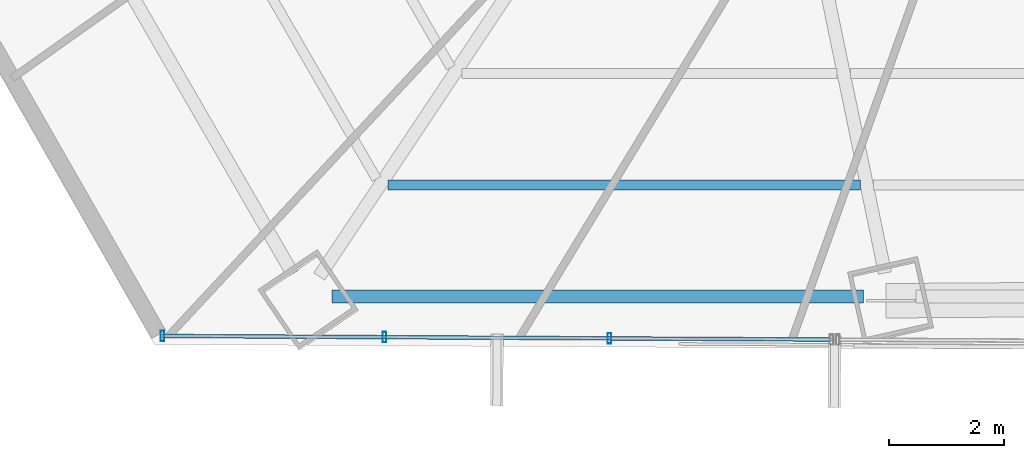
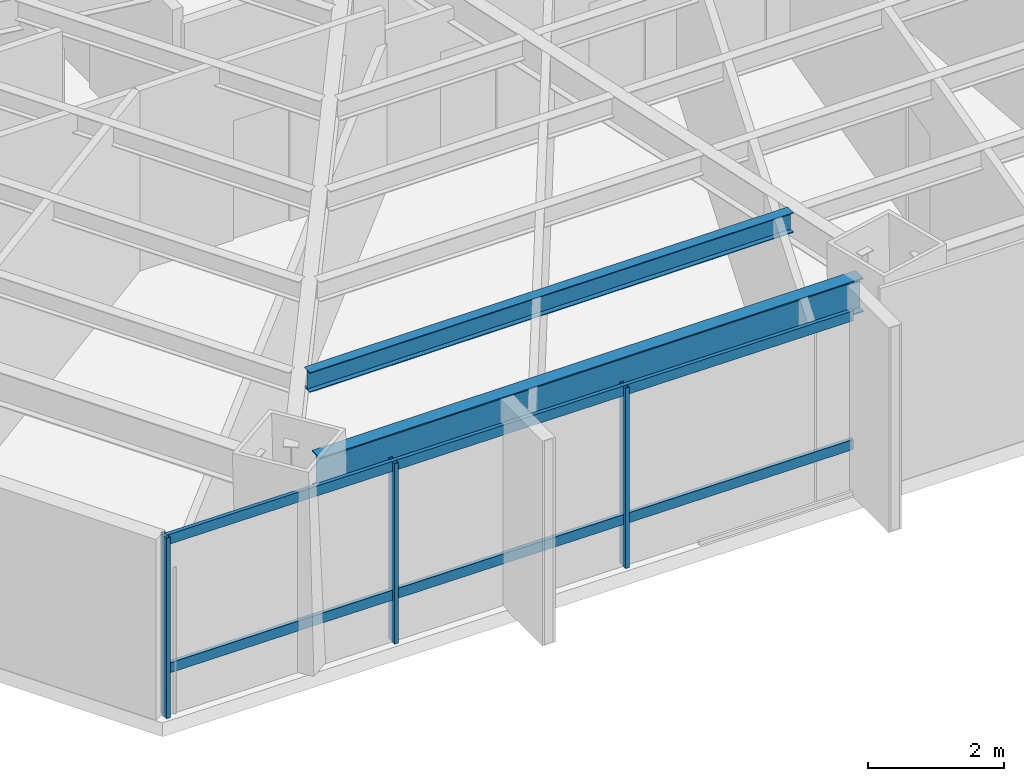
# One storey, part 4 of 39: 5 members, 2 beams, 1 element without a shape of its own.
"""IFC4 building model written with IfcOpenShell, lengths in metres."""

from ifc_helpers import new_model, si_unit, direction, frame, origin, origin_2d, place, context, subcontext, project, spatial, hollow_rectangle, i_section, extrude, source, transform, mapped, material, material_profile, profile_set, type_object, type_shapes, element, aggregate, save


model = new_model("IFC4")

# Units and contexts
model_context = context("Model", 3, precision=1e-05, world=origin(), true_north=direction((0.0, 1.0)))
body_context = subcontext(model_context, "Body", "Model", "MODEL_VIEW")
ifc_project = project(units=[si_unit("LENGTHUNIT", "METRE"), si_unit("AREAUNIT", "SQUARE_METRE"), si_unit("VOLUMEUNIT", "CUBIC_METRE"), si_unit("PLANEANGLEUNIT", "RADIAN"), si_unit("MASSUNIT", "GRAM", prefix="KILO")], contexts=[model_context])

# Site, building, storey
site_placement = place(None, origin())
site = spatial("IfcSite", under=ifc_project, at=site_placement, CompositionType="ELEMENT")
building_placement = place(site_placement, origin())
building = spatial("IfcBuilding", under=site, at=building_placement, Name="Caelisora Broadcast Tower", CompositionType="ELEMENT")
storey_placement = place(building_placement, frame((0.0, 0.0, 71.39990234375)))
storey = spatial("IfcBuildingStorey", under=building, at=storey_placement, Name="L18", CompositionType="ELEMENT", Elevation=71.39990234375)

# Beams
ifc_material_1 = material(Name="Steel Grade 350 (AS/NZS 3679.1)", Category="steel")
ifc_material_profile_1 = material_profile(ifc_material_1, i_section(OverallWidth=0.22900390625, OverallDepth=0.611572265625, WebThickness=0.011962890625, FlangeThickness=0.01953125, at=origin_2d()), Name="Steel Grade 350 (AS/NZS 3679.1)")
ifc_profile_set_1 = profile_set([ifc_material_profile_1], Name="Steel Grade 350 (AS/NZS 3679.1)")
beam_type_1 = type_object("IfcBeamType", Name="PG03", PredefinedType="BEAM", material=ifc_profile_set_1)
shared_shape_1 = source(origin(), body_context, "Body", "SweptSolid", [
    extrude(i_section(OverallWidth=0.22900390625, OverallDepth=0.611572265625, WebThickness=0.011962890625, FlangeThickness=0.01953125, at=origin_2d()), origin(), (0.0, 0.0, 1.0), 9.2607421875),
])
type_shapes(beam_type_1, [shared_shape_1])
beam_1_placement = place(storey_placement, frame((23.188720703125, 5.739990234375, 2.9443359375), z_axis=(1.0, 0.0, 0.0), x_axis=(0.0, 1.0, 0.0)))
element("IfcBeam", 1, at=beam_1_placement, inside=storey, type_object=beam_type_1, Name="L18 beam PG03", PredefinedType="BEAM", context=body_context, shape_type="MappedRepresentation", body=[
    mapped(shared_shape_1, transform((0.0, 0.0, 0.0), scale=1.0)),
])
ifc_material_profile_2 = material_profile(ifc_material_1, i_section(OverallWidth=0.172119140625, OverallDepth=0.358642578125, WebThickness=0.008056640625, FlangeThickness=0.012939453125, at=origin_2d()), Name="Steel Grade 350 (AS/NZS 3679.1)")
ifc_profile_set_2 = profile_set([ifc_material_profile_2], Name="Steel Grade 350 (AS/NZS 3679.1)")
beam_type_2 = type_object("IfcBeamType", Name="SB02", PredefinedType="JOIST", material=ifc_profile_set_2)
shared_shape_2 = source(origin(), body_context, "Body", "SweptSolid", [
    extrude(i_section(OverallWidth=0.172119140625, OverallDepth=0.358642578125, WebThickness=0.008056640625, FlangeThickness=0.012939453125, at=origin_2d()), origin(), (0.0, 0.0, 1.0), 8.23681640625),
])
type_shapes(beam_type_2, [shared_shape_2])
beam_2_placement = place(storey_placement, frame((24.15771484375, 7.68310546875, 3.07080078125), z_axis=(1.0, 0.0, 0.0), x_axis=(0.0, 1.0, 0.0)))
element("IfcBeam", 2, at=beam_2_placement, inside=storey, type_object=beam_type_2, Name="L18 beam SB02", PredefinedType="JOIST", context=body_context, shape_type="MappedRepresentation", body=[
    mapped(shared_shape_2, transform((0.0, 0.0, 0.0), scale=1.0)),
])

# Curtain wall, members
ifc_material_2 = material(Name="Unitised Aluminium and Low-E Glass Curtain Wall", Category="glass")
curtain_wall_type = type_object("IfcCurtainWallType", Name="CW-Z1", PredefinedType="NOTDEFINED", material=ifc_material_2)
curtain_wall_placement = place(storey_placement, origin())
curtain_wall = element("IfcCurtainWall", 3, at=curtain_wall_placement, inside=storey, type_object=curtain_wall_type, Name="L18 curtain wall CW-Z1", PredefinedType="NOTDEFINED")
ifc_material_3 = material(Name="Aluminium 6063-T6 Anodised Terracotta Bronze", Category="aluminium")
ifc_material_profile_3 = material_profile(ifc_material_3, hollow_rectangle(XDim=0.06494140625, YDim=0.179931640625, WallThickness=0.00341796875, at=origin_2d()), Name="Aluminium 6063-T6 Anodised Terracotta Bronze")
ifc_profile_set_3 = profile_set([ifc_material_profile_3], Name="Aluminium 6063-T6 Anodised Terracotta Bronze")
member_type_1 = type_object("IfcMemberType", Name="CWM-02", PredefinedType="MULLION", material=ifc_profile_set_3)
shared_shape_3 = source(origin(), body_context, "Body", "SweptSolid", [
    extrude(hollow_rectangle(XDim=0.06494140625, YDim=0.179931640625, WallThickness=0.00341796875, at=origin_2d()), origin(), (0.0, 0.0, 1.0), 3.25),
])
type_shapes(member_type_1, [shared_shape_3])
member_1_placement = place(storey_placement, frame((28.02099609375, 5.01123046875, 0.0), z_axis=(0.0, 0.0, 1.0), x_axis=(1.0, 0.0, 0.0)))
member_1 = element("IfcMember", 4, at=member_1_placement, type_object=member_type_1, Name="L18-CW-B07 mullion #1", PredefinedType="MULLION", context=body_context, shape_type="MappedRepresentation", body=[
    mapped(shared_shape_3, transform((0.0, 0.0, 0.0), scale=1.0)),
])
member_2_placement = place(storey_placement, frame((24.10009765625, 5.03271484375, 0.0), z_axis=(0.0, 0.0, 1.0), x_axis=(1.0, 0.0, 0.0)))
member_2 = element("IfcMember", 5, at=member_2_placement, type_object=member_type_1, Name="L18-CW-B07 mullion #2", PredefinedType="MULLION", context=body_context, shape_type="MappedRepresentation", body=[
    mapped(shared_shape_3, transform((0.0, 0.0, 0.0), scale=1.0)),
])
member_3_placement = place(storey_placement, frame((20.22900390625, 5.0537109375, 0.0), z_axis=(0.0, 0.0, 1.0), x_axis=(1.0, 0.0, 0.0)))
member_3 = element("IfcMember", 6, at=member_3_placement, type_object=member_type_1, Name="L18-CW-B07 mullion #3", PredefinedType="MULLION", context=body_context, shape_type="MappedRepresentation", body=[
    mapped(shared_shape_3, transform((0.0, 0.0, 0.0), scale=1.0)),
])
ifc_material_profile_4 = material_profile(ifc_material_3, hollow_rectangle(XDim=0.06494140625, YDim=0.179931640625, WallThickness=0.00341796875, at=origin_2d()), Name="Aluminium 6063-T6 Anodised Terracotta Bronze")
ifc_profile_set_4 = profile_set([ifc_material_profile_4], Name="Aluminium 6063-T6 Anodised Terracotta Bronze")
member_type_2 = type_object("IfcMemberType", Name="CWT-01", PredefinedType="USERDEFINED", material=ifc_profile_set_4)
shared_shape_4 = source(origin(), body_context, "Body", "SweptSolid", [
    extrude(hollow_rectangle(XDim=0.06494140625, YDim=0.179931640625, WallThickness=0.00341796875, at=origin_2d()), origin(), (0.0, 0.0, 1.0), 11.663330078125),
])
type_shapes(member_type_2, [shared_shape_4])
member_4_placement = place(storey_placement, frame((31.89208984375, 4.989990234375, 0.85009765625), z_axis=(-0.999985075684, 0.005463369856, 0.0), x_axis=(-0.005463369856, -0.999985075684, 0.0)))
member_4 = element("IfcMember", 7, at=member_4_placement, type_object=member_type_2, Name="L18-CW-B07 transom #1", ObjectType="TRANSOM", PredefinedType="USERDEFINED", context=body_context, shape_type="MappedRepresentation", body=[
    mapped(shared_shape_4, transform((0.0, 0.0, 0.0), scale=1.0)),
])
member_5_placement = place(storey_placement, frame((31.89208984375, 4.989990234375, 3.170166015625), z_axis=(-0.999985075684, 0.005463369856, 0.0), x_axis=(-0.005463369856, -0.999985075684, 0.0)))
member_5 = element("IfcMember", 8, at=member_5_placement, type_object=member_type_2, Name="L18-CW-B07 transom #2", ObjectType="TRANSOM", PredefinedType="USERDEFINED", context=body_context, shape_type="MappedRepresentation", body=[
    mapped(shared_shape_4, transform((0.0, 0.0, 0.0), scale=1.0)),
])
aggregate(curtain_wall, [member_1, member_2, member_3, member_4, member_5])

save(model, "model.ifc")
